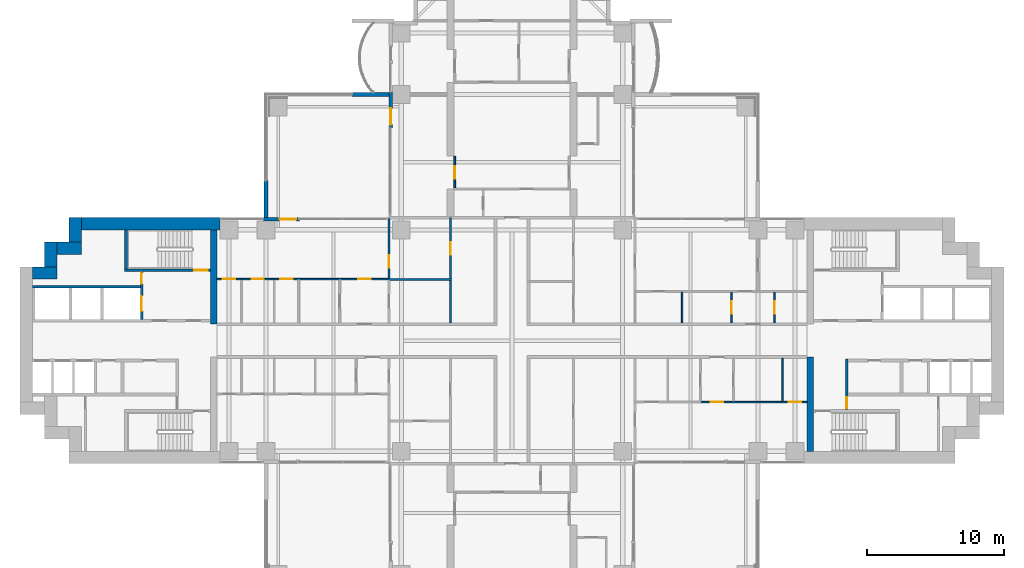
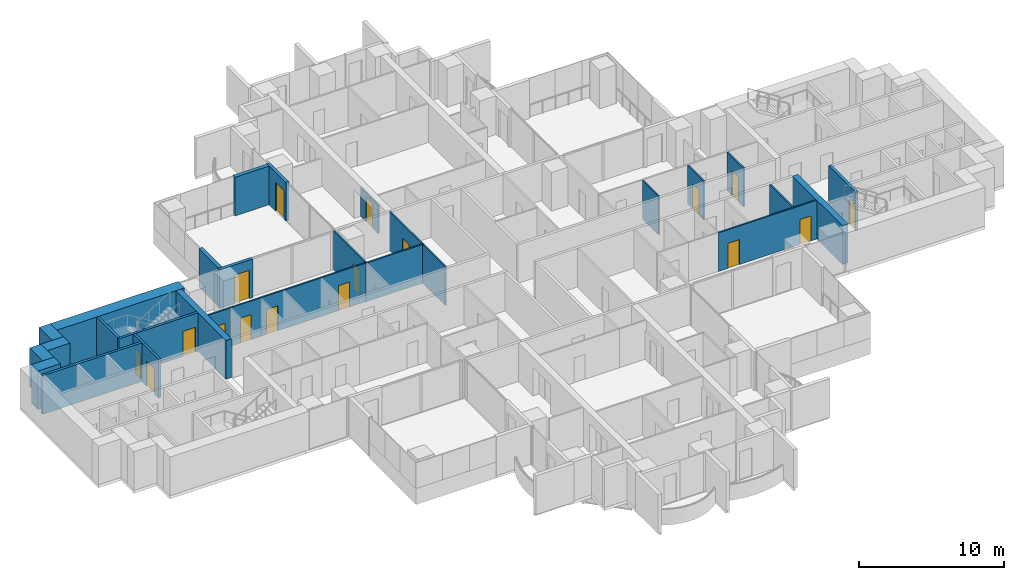
# One storey, part 13 of 20: 28 walls, 17 doors, 17 openings.
"""IFC4 building model written with IfcOpenShell, lengths in metres."""

import ifcopenshell
import ifcopenshell.guid

model = None  # the IFC model being written
_history = None  # IfcOwnerHistory: only IFC2X3 demands one
_inside = {}  # id of a spatial element -> (the spatial element, [elements in it])
_under = {}  # id of a project, library or spatial element -> (it, [spatial elements below it])
_declared = {}  # id of a project -> (the project, [libraries it declares])
_typed = {}  # id of a type object -> (the type object, [elements of that type])
_made_of = {}  # id of a material, layer set ... -> (it, [elements and type objects made of it])


def new_model(schema):
    """Start an empty IFC model of exactly this schema.

    Asked for "IFC4X3", IfcOpenShell would pick the latest addendum, in which some entities
    have other attributes; the version numbers below select the first issue.
    IFC2X3 requires an IfcOwnerHistory on every rooted entity: one is made here for all.
    """
    global model, _history
    if schema == "IFC4X3":
        model = ifcopenshell.file(schema_version=(4, 3, 0, 0))
    else:
        model = ifcopenshell.file(schema=schema)
    _inside.clear()
    _under.clear()
    _declared.clear()
    _typed.clear()
    _made_of.clear()
    _history = None
    if model.schema == "IFC2X3":
        org = make("IfcOrganization", Name="unknown")
        user = make(
            "IfcPersonAndOrganization",
            ThePerson=make("IfcPerson", FamilyName="unknown"),
            TheOrganization=org,
        )
        app = make(
            "IfcApplication",
            ApplicationDeveloper=org,
            Version="unknown",
            ApplicationFullName="unknown",
            ApplicationIdentifier="unknown",
        )
        _history = make(
            "IfcOwnerHistory",
            OwningUser=user,
            OwningApplication=app,
            ChangeAction="ADDED",
            CreationDate=0,
        )
    return model


def make(cls, **values):
    """One entity of the class cls with the attributes given. An attribute that is None is left unset."""
    return model.create_entity(
        cls, **{name: value for name, value in values.items() if value is not None}
    )


def rooted(cls, **values):
    """An entity with a GlobalId (a new one), such as an element, a storey or a relation."""
    return make(cls, GlobalId=ifcopenshell.guid.new(), OwnerHistory=_history, **values)


def si_unit(unit_type, name, prefix=None):
    """IfcSIUnit, for example si_unit("LENGTHUNIT", "METRE", prefix="MILLI")."""
    return make("IfcSIUnit", UnitType=unit_type, Prefix=prefix, Name=name)


def assignment(units):
    """IfcUnitAssignment: the units of a project."""
    return None if units is None else make("IfcUnitAssignment", Units=units)


def point(xyz):
    """IfcCartesianPoint."""
    return None if xyz is None else make("IfcCartesianPoint", Coordinates=xyz)


def direction(xyz):
    """IfcDirection."""
    return None if xyz is None else make("IfcDirection", DirectionRatios=xyz)


def frame(location, z_axis=None, x_axis=None):
    """IfcAxis2Placement3D, a coordinate frame: its origin and axes. An axis left out is left unset."""
    return make(
        "IfcAxis2Placement3D",
        Location=point(location),
        Axis=direction(z_axis),
        RefDirection=direction(x_axis),
    )


def frame_2d(location, x_axis=None):
    """IfcAxis2Placement2D, a coordinate frame in the plane: its origin and x axis."""
    return make(
        "IfcAxis2Placement2D", Location=point(location), RefDirection=direction(x_axis)
    )


def origin():
    """The frame at (0, 0, 0) with its axes left unset."""
    return frame((0.0, 0.0, 0.0))


def place(relative_to, where):
    """IfcLocalPlacement: puts the frame where relative to a parent placement (None: the world)."""
    return make(
        "IfcLocalPlacement", PlacementRelTo=relative_to, RelativePlacement=where
    )


def context(
    kind, dimensions, precision=None, world=None, true_north=None, identifier=None
):
    """IfcGeometricRepresentationContext, for example the 3D "Model" context."""
    return make(
        "IfcGeometricRepresentationContext",
        ContextIdentifier=identifier,
        ContextType=kind,
        CoordinateSpaceDimension=dimensions,
        Precision=precision,
        WorldCoordinateSystem=world,
        TrueNorth=true_north,
    )


def subcontext(parent, identifier, kind, view, scale=None):
    """IfcGeometricRepresentationSubContext, for example "Body" below "Model"."""
    return make(
        "IfcGeometricRepresentationSubContext",
        ContextIdentifier=identifier,
        ContextType=kind,
        ParentContext=parent,
        TargetScale=scale,
        TargetView=view,
    )


def project(units=None, contexts=None):
    """IfcProject with its units and contexts."""
    return rooted(
        "IfcProject",
        Name="project",
        RepresentationContexts=contexts,
        UnitsInContext=assignment(units),
    )


def spatial(cls, under=None, at=None, **own):
    """A site, building, storey or space (cls), placed at a placement, below another one or the project."""
    s = rooted(cls, ObjectPlacement=at, **own)
    if under is not None:
        _under.setdefault(under.id(), (under, []))[1].append(s)
    return s


def profile(cls, at=None, kind="AREA", **sizes):
    """A parametric profile (cls). Its sizes go by their IFC names, for example OverallWidth=200.0."""
    return make(cls, ProfileType=kind, Position=at, **sizes)


def rectangle(**sizes):
    """IfcRectangleProfileDef."""
    return profile("IfcRectangleProfileDef", **sizes)


def extrude(swept, where, along, depth):
    """IfcExtrudedAreaSolid: the profile swept, set in the frame where, extruded along a direction by depth."""
    return make(
        "IfcExtrudedAreaSolid",
        SweptArea=swept,
        Position=where,
        ExtrudedDirection=direction(along),
        Depth=depth,
    )


def shape(context_of_items, identifier, shape_type, items):
    """IfcShapeRepresentation: the items that make up one representation, for example the "Body"."""
    return make(
        "IfcShapeRepresentation",
        ContextOfItems=context_of_items,
        RepresentationIdentifier=identifier,
        RepresentationType=shape_type,
        Items=items,
    )


def material(Name=None, Category=None):
    """IfcMaterial."""
    return make("IfcMaterial", Name=Name, Category=Category)


def layer(
    of_material, thickness, ventilated=None, Name=None, Category=None, Priority=None
):
    """IfcMaterialLayer: one layer of a wall or slab, of a material (None: an air gap)."""
    return make(
        "IfcMaterialLayer",
        Material=of_material,
        LayerThickness=thickness,
        IsVentilated=ventilated,
        Name=Name,
        Category=Category,
        Priority=Priority,
    )


def layer_set(layers, Name=None):
    """IfcMaterialLayerSet."""
    return make("IfcMaterialLayerSet", MaterialLayers=layers, LayerSetName=Name)


def made_of(thing, what):
    """Note that an element or type object is made of a material, layer set ...; save() writes the relation."""
    if what is not None:
        _made_of.setdefault(what.id(), (what, []))[1].append(thing)
    return thing


def type_object(cls, material=None, **own):
    """A type object (cls), such as IfcWallType, which elements share."""
    return made_of(rooted(cls, **own), material)


def element(
    cls,
    number,
    at=None,
    inside=None,
    cuts=None,
    type_object=None,
    material=None,
    context=None,
    identifier="Body",
    shape_type=None,
    held_by="IfcProductDefinitionShape",
    body=None,
    shapes=None,
    **own,
):
    """One element of the class cls, such as IfcWall. Its Tag is "e" and its number.

    at: its placement. inside: the storey or other place that contains it. cuts: it is an
    opening in that element (IfcRelVoidsElement). A single representation is given by context,
    identifier, shape_type and body (its items); several are given by shapes. held_by: the class
    of the entity that holds the representations. save() writes the other relations.
    """
    e = rooted(cls, Tag="e%d" % number, ObjectPlacement=at, **own)
    if body is not None:
        shapes = [shape(context, identifier, shape_type, body)]
    if shapes is not None:
        e.Representation = make(held_by, Representations=shapes)
    if inside is not None:
        _inside.setdefault(inside.id(), (inside, []))[1].append(e)
    if cuts is not None:
        rooted(
            "IfcRelVoidsElement", RelatingBuildingElement=cuts, RelatedOpeningElement=e
        )
    if type_object is not None:
        _typed.setdefault(type_object.id(), (type_object, []))[1].append(e)
    return made_of(e, material)


def fill(opening, filler):
    """IfcRelFillsElement: the door or window that sits in an opening."""
    return rooted(
        "IfcRelFillsElement",
        RelatingOpeningElement=opening,
        RelatedBuildingElement=filler,
    )


def aggregate(whole, parts):
    """IfcRelAggregates: a whole, such as a stair, and the parts it consists of."""
    return rooted("IfcRelAggregates", RelatingObject=whole, RelatedObjects=parts)


def save(model, path):
    """Write the relations noted so far, then the file.

    IfcRelAggregates (storeys below a building ...), IfcRelContainedInSpatialStructure (elements
    in a storey), IfcRelDefinesByType, IfcRelAssociatesMaterial and IfcRelDeclares: one each for
    every whole, place, type object, material and project.
    """
    for whole, parts in _under.values():
        aggregate(whole, parts)
    for where, things in _inside.values():
        rooted(
            "IfcRelContainedInSpatialStructure",
            RelatedElements=things,
            RelatingStructure=where,
        )
    for kind, things in _typed.values():
        rooted("IfcRelDefinesByType", RelatedObjects=things, RelatingType=kind)
    for what, things in _made_of.values():
        rooted("IfcRelAssociatesMaterial", RelatedObjects=things, RelatingMaterial=what)
    for by, libraries in _declared.values():
        rooted("IfcRelDeclares", RelatingContext=by, RelatedDefinitions=libraries)
    model.write(path)


model = new_model("IFC4")

# Units and contexts
model_context = context("Model", 3, precision=1e-05, world=origin(), true_north=direction((0.0, 1.0)))
body_context = subcontext(model_context, "Body", "Model", "MODEL_VIEW")
ifc_project = project(units=[si_unit("LENGTHUNIT", "METRE"), si_unit("AREAUNIT", "SQUARE_METRE"), si_unit("VOLUMEUNIT", "CUBIC_METRE"), si_unit("PLANEANGLEUNIT", "RADIAN"), si_unit("MASSUNIT", "GRAM", prefix="KILO")], contexts=[model_context])

# Site, building, storey
site_placement = place(None, origin())
site = spatial("IfcSite", under=ifc_project, at=site_placement, CompositionType="ELEMENT")
building_placement = place(site_placement, origin())
building = spatial("IfcBuilding", under=site, at=building_placement, Name="Perihelion Cross Residences", CompositionType="ELEMENT")
storey_placement = place(building_placement, frame((0.0, 0.0, 71.5)))
storey = spatial("IfcBuildingStorey", under=building, at=storey_placement, Name="L15", CompositionType="ELEMENT", Elevation=71.5)

# Wall, opening, door
ifc_material_1 = material(Name="Concrete C30/37, bronze-clad", Category="concrete")
ifc_layer_1 = layer(ifc_material_1, 0.25)
ifc_layer_set_1 = layer_set([ifc_layer_1], Name="Bronze-clad pier wall 250")
wall_type_1 = type_object("IfcWallType", Name="Bronze-clad pier wall 250", PredefinedType="SOLIDWALL", material=ifc_layer_set_1)
wall_1_placement = place(storey_placement, frame((-8.875, 18.199951171875, 0.0), z_axis=(0.0, 0.0, 1.0), x_axis=(0.0, -1.0, 0.0)))
wall_1 = element("IfcWall", 1, at=wall_1_placement, inside=storey, type_object=wall_type_1, Name="Wall FW1 L15 north side west bay 2 pier", PredefinedType="SOLIDWALL", context=body_context, shape_type="SweptSolid", body=[
    extrude(rectangle(XDim=2.64990234375, YDim=0.25, at=frame_2d((1.324951171875, 0.0))), origin(), (0.0, 0.0, 1.0), 3.25),
])
opening_1_placement = place(wall_1_placement, frame((1.199951171875, 0.0, 0.0)))
opening_1 = element("IfcOpeningElement", 2, at=opening_1_placement, cuts=wall_1, Name="Opening L15.E07", PredefinedType="OPENING", context=body_context, shape_type="SweptSolid", body=[
    extrude(rectangle(XDim=1.199951171875, YDim=2.39990234375, at=frame_2d((0.60009765625, 1.199951171875))), frame((0.0, 0.135009765625, 0.0), z_axis=(0.0, -1.0, 0.0), x_axis=(1.0, 0.0, 0.0)), (0.0, 0.0, 1.0), 0.27001953125),
])
ifc_material_2 = material(Name="Bronze anodised aluminium, glazed", Category="aluminium")
door_type_1 = type_object("IfcDoorType", Name="Balcony door 1200 x 2400", OperationType="NOTDEFINED", PredefinedType="DOOR", material=ifc_material_2)
door_1_placement = place(opening_1_placement, origin())
door_1 = element("IfcDoor", 3, at=door_1_placement, inside=storey, type_object=door_type_1, Name="Door L15.E07 north side west bay 2", OperationType="SINGLE_SWING_RIGHT", OverallHeight=2.39990234375, OverallWidth=1.199951171875, PredefinedType="DOOR", context=body_context, shape_type="SweptSolid", body=[
    extrude(rectangle(XDim=1.199951171875, YDim=2.39990234375, at=frame_2d((0.60009765625, 1.199951171875))), frame((0.0, 0.02490234375, 0.0), z_axis=(0.0, -1.0, 0.0), x_axis=(1.0, 0.0, 0.0)), (0.0, 0.0, 1.0), 0.050048828125),
])
fill(opening_1, door_1)

wall_2_placement = place(storey_placement, frame((-15.550048828125, 8.875, 0.0), z_axis=(0.0, 0.0, 1.0), x_axis=(-1.0, 0.0, 0.0)))
wall_2 = element("IfcWall", 4, at=wall_2_placement, inside=storey, type_object=wall_type_1, Name="Wall FW1 L15 west side north bay 1 pier", PredefinedType="SOLIDWALL", context=body_context, shape_type="SweptSolid", body=[
    extrude(rectangle(XDim=2.64990234375, YDim=0.25, at=frame_2d((1.324951171875, 0.0))), origin(), (0.0, 0.0, 1.0), 3.25),
])
opening_2_placement = place(wall_2_placement, frame((0.25, 0.0, 0.0)))
opening_2 = element("IfcOpeningElement", 5, at=opening_2_placement, cuts=wall_2, Name="Opening L15.E08", PredefinedType="OPENING", context=body_context, shape_type="SweptSolid", body=[
    extrude(rectangle(XDim=1.199951171875, YDim=2.39990234375, at=frame_2d((0.60009765625, 1.199951171875))), frame((0.0, 0.135009765625, 0.0), z_axis=(0.0, -1.0, 0.0), x_axis=(1.0, 0.0, 0.0)), (0.0, 0.0, 1.0), 0.27001953125),
])
door_2_placement = place(opening_2_placement, origin())
door_2 = element("IfcDoor", 6, at=door_2_placement, inside=storey, type_object=door_type_1, Name="Door L15.E08 west side north bay 1", OperationType="SINGLE_SWING_LEFT", OverallHeight=2.39990234375, OverallWidth=1.199951171875, PredefinedType="DOOR", context=body_context, shape_type="SweptSolid", body=[
    extrude(rectangle(XDim=1.199951171875, YDim=2.39990234375, at=frame_2d((0.60009765625, 1.199951171875))), frame((0.0, 0.02490234375, 0.0), z_axis=(0.0, -1.0, 0.0), x_axis=(1.0, 0.0, 0.0)), (0.0, 0.0, 1.0), 0.050048828125),
])
fill(opening_2, door_2)

# Walls
ifc_material_3 = material(Name="Concrete C60/75", Category="concrete")
ifc_layer_2 = layer(ifc_material_3, 0.449951171875)
ifc_layer_set_2 = layer_set([ifc_layer_2], Name="Core wall, inner 450")
wall_type_2 = type_object("IfcWallType", Name="Core wall, inner 450", PredefinedType="SHEAR", material=ifc_layer_set_2)
for number, where, z_axis, x_axis, name in (
    (7, (21.824951171875, -8.10009765625, 0.0), (0.0, 0.0, 1.0), (0.0, 1.0, 0.0), "East core core wall, inner"),
    (8, (-21.824951171875, 1.199951171875, 0.0), (0.0, 0.0, 1.0), (0.0, 1.0, 0.0), "West core core wall, inner"),
):
    element("IfcWall", number, at=place(storey_placement, frame(where, z_axis=z_axis, x_axis=x_axis)), inside=storey, type_object=wall_type_2, Name=name, PredefinedType="SHEAR", context=body_context, shape_type="SweptSolid", body=[
        extrude(rectangle(XDim=6.900146484375, YDim=0.449951171875, at=frame_2d((3.4501953125, 0.0))), origin(), (0.0, 0.0, 1.0), 3.25),
    ])
ifc_material_4 = material(Name="Concrete C60/75", Category="concrete")
ifc_layer_3 = layer(ifc_material_4, 0.89990234375)
ifc_layer_set_3 = layer_set([ifc_layer_3], Name="Core wall, outer 900")
wall_type_3 = type_object("IfcWallType", Name="Core wall, outer 900", PredefinedType="SHEAR", material=ifc_layer_set_3)
for number, where, z_axis, x_axis, name in (
    (9, (-35.10009765625, 4.949951171875, 0.0), (0.0, 0.0, 1.0), (1.0, 0.0, 0.0), "West core core wall, outer"),
    (10, (-33.75, 5.39990234375, 0.0), (0.0, 0.0, 1.0), (0.0, 1.0, 0.0), "West core core wall, outer"),
    (11, (-33.300048828125, 6.75, 0.0), (0.0, 0.0, 1.0), (1.0, 0.0, 0.0), "West core core wall, outer"),
    (12, (-31.949951171875, 7.199951171875, 0.0), (0.0, 0.0, 1.0), (0.0, 1.0, 0.0), "West core core wall, outer"),
):
    element("IfcWall", number, at=place(storey_placement, frame(where, z_axis=z_axis, x_axis=x_axis)), inside=storey, type_object=wall_type_3, Name=name, PredefinedType="SHEAR", context=body_context, shape_type="SweptSolid", body=[
        extrude(rectangle(XDim=1.800048828125, YDim=0.89990234375, at=frame_2d((0.89990234375, 0.0))), origin(), (0.0, 0.0, 1.0), 3.25),
    ])
wall_3_placement = place(storey_placement, frame((-31.5, 8.550048828125, 0.0), z_axis=(0.0, 0.0, 1.0), x_axis=(1.0, 0.0, 0.0)))
element("IfcWall", 13, at=wall_3_placement, inside=storey, type_object=wall_type_3, Name="West core core wall, outer", PredefinedType="SHEAR", context=body_context, shape_type="SweptSolid", body=[
    extrude(rectangle(XDim=10.14990234375, YDim=0.89990234375, at=frame_2d((5.074951171875, 0.0))), origin(), (0.0, 0.0, 1.0), 3.25),
])

# Wall, opening, door
ifc_material_5 = material(Name="Plasterboard partition")
ifc_layer_4 = layer(ifc_material_5, 0.1201171875)
ifc_layer_set_4 = layer_set([ifc_layer_4], Name="Infill panel 120")
wall_type_4 = type_object("IfcWallType", Name="Infill panel 120", PredefinedType="PARTITIONING", material=ifc_layer_set_4)
wall_4_placement = place(storey_placement, frame((-4.18994140625, 11.10009765625, 0.0), z_axis=(0.0, 0.0, 1.0), x_axis=(0.0, 1.0, 0.0)))
wall_4 = element("IfcWall", 14, at=wall_4_placement, inside=storey, type_object=wall_type_4, Name="Partition L15 WI03", PredefinedType="PARTITIONING", context=body_context, shape_type="SweptSolid", body=[
    extrude(rectangle(XDim=2.39990234375, YDim=0.1201171875, at=frame_2d((1.199951171875, 0.0))), origin(), (0.0, 0.0, 1.0), 2.39990234375),
])
opening_3_placement = place(wall_4_placement, frame((0.75, 0.0, 0.0)))
opening_3 = element("IfcOpeningElement", 15, at=opening_3_placement, cuts=wall_4, Name="Opening L15.A52", PredefinedType="OPENING", context=body_context, shape_type="SweptSolid", body=[
    extrude(rectangle(XDim=0.89990234375, YDim=2.10009765625, at=frame_2d((0.449951171875, 1.050048828125))), frame((0.0, 0.070068359375, 0.0), z_axis=(0.0, -1.0, 0.0), x_axis=(1.0, 0.0, 0.0)), (0.0, 0.0, 1.0), 0.14013671875),
])
ifc_material_6 = material(Name="Timber door leaf", Category="wood")
door_type_2 = type_object("IfcDoorType", Name="Interior room door 900 x 2100", OperationType="SINGLE_SWING_LEFT", PredefinedType="DOOR", material=ifc_material_6)
door_3_placement = place(opening_3_placement, origin())
door_3 = element("IfcDoor", 16, at=door_3_placement, inside=storey, type_object=door_type_2, Name="Door L15.A52", OperationType="SINGLE_SWING_LEFT", OverallHeight=2.10009765625, OverallWidth=0.89990234375, PredefinedType="DOOR", context=body_context, shape_type="SweptSolid", body=[
    extrude(rectangle(XDim=0.89990234375, YDim=2.10009765625, at=frame_2d((0.449951171875, 1.050048828125))), frame((0.0, 0.02490234375, 0.0), z_axis=(0.0, -1.0, 0.0), x_axis=(1.0, 0.0, 0.0)), (0.0, 0.0, 1.0), 0.050048828125),
])
fill(opening_3, door_3)

ifc_material_7 = material(Name="Concrete C50/60", Category="concrete")
ifc_layer_5 = layer(ifc_material_7, 0.199951171875)
ifc_layer_set_5 = layer_set([ifc_layer_5], Name="Lobby wall 200")
wall_type_5 = type_object("IfcWallType", Name="Lobby wall 200", PredefinedType="SOLIDWALL", material=ifc_layer_set_5)
wall_5_placement = place(storey_placement, frame((24.5, -5.050048828125, 0.0), z_axis=(0.0, 0.0, 1.0), x_axis=(0.0, 1.0, 0.0)))
wall_5 = element("IfcWall", 17, at=wall_5_placement, inside=storey, type_object=wall_type_5, Name="East core lobby wall", PredefinedType="SOLIDWALL", context=body_context, shape_type="SweptSolid", body=[
    extrude(rectangle(XDim=3.699951171875, YDim=0.199951171875, at=frame_2d((1.85009765625, 0.0))), origin(), (0.0, 0.0, 1.0), 3.25),
])
opening_4_placement = place(wall_5_placement, frame((0.10009765625, 0.0, 0.0)))
opening_4 = element("IfcOpeningElement", 18, at=opening_4_placement, cuts=wall_5, Name="Opening L15.C08", PredefinedType="OPENING", context=body_context, shape_type="SweptSolid", body=[
    extrude(rectangle(XDim=0.800048828125, YDim=2.10009765625, at=frame_2d((0.39990234375, 1.050048828125))), frame((0.0, 0.10986328125, 0.0), z_axis=(0.0, -1.0, 0.0), x_axis=(1.0, 0.0, 0.0)), (0.0, 0.0, 1.0), 0.219970703125),
])
ifc_material_8 = material(Name="Steel, powder coated", Category="steel")
door_type_3 = type_object("IfcDoorType", Name="Riser door 800", OperationType="SINGLE_SWING_LEFT", PredefinedType="DOOR", material=ifc_material_8)
door_4_placement = place(opening_4_placement, origin())
door_4 = element("IfcDoor", 19, at=door_4_placement, inside=storey, type_object=door_type_3, Name="East core riser door", OperationType="SINGLE_SWING_LEFT", OverallHeight=2.10009765625, OverallWidth=0.800048828125, PredefinedType="DOOR", context=body_context, shape_type="SweptSolid", body=[
    extrude(rectangle(XDim=0.800048828125, YDim=2.10009765625, at=frame_2d((0.39990234375, 1.050048828125))), frame((0.0, 0.02490234375, 0.0), z_axis=(0.0, -1.0, 0.0), x_axis=(1.0, 0.0, 0.0)), (0.0, 0.0, 1.0), 0.050048828125),
])
fill(opening_4, door_4)

ifc_material_9 = material(Name="Plasterboard partition")
ifc_layer_6 = layer(ifc_material_9, 0.1201171875)
ifc_layer_set_6 = layer_set([ifc_layer_6], Name="Partition wall 120")
wall_type_6 = type_object("IfcWallType", Name="Partition wall 120", PredefinedType="PARTITIONING", material=ifc_layer_set_6)
wall_6_placement = place(storey_placement, frame((16.050048828125, 3.5400390625, 0.0), z_axis=(0.0, 0.0, 1.0), x_axis=(0.0, -1.0, 0.0)))
wall_6 = element("IfcWall", 20, at=wall_6_placement, inside=storey, type_object=wall_type_6, Name="Partition L15 W014", PredefinedType="PARTITIONING", context=body_context, shape_type="SweptSolid", body=[
    extrude(rectangle(XDim=2.239990234375, YDim=0.1201171875, at=frame_2d((1.1201171875, 0.0))), origin(), (0.0, 0.0, 1.0), 3.25),
])
opening_5_placement = place(wall_6_placement, frame((0.669921875, 0.0, 0.0)))
opening_5 = element("IfcOpeningElement", 21, at=opening_5_placement, cuts=wall_6, Name="Opening L15.A02", PredefinedType="OPENING", context=body_context, shape_type="SweptSolid", body=[
    extrude(rectangle(XDim=0.89990234375, YDim=2.10009765625, at=frame_2d((0.449951171875, 1.050048828125))), frame((0.0, 0.070068359375, 0.0), z_axis=(0.0, -1.0, 0.0), x_axis=(1.0, 0.0, 0.0)), (0.0, 0.0, 1.0), 0.14013671875),
])
door_5_placement = place(opening_5_placement, origin())
door_5 = element("IfcDoor", 22, at=door_5_placement, inside=storey, type_object=door_type_2, Name="Door L15.A02", OperationType="SINGLE_SWING_LEFT", OverallHeight=2.10009765625, OverallWidth=0.89990234375, PredefinedType="DOOR", context=body_context, shape_type="SweptSolid", body=[
    extrude(rectangle(XDim=0.89990234375, YDim=2.10009765625, at=frame_2d((0.449951171875, 1.050048828125))), frame((0.0, 0.02490234375, 0.0), z_axis=(0.0, -1.0, 0.0), x_axis=(1.0, 0.0, 0.0)), (0.0, 0.0, 1.0), 0.050048828125),
])
fill(opening_5, door_5)

wall_7_placement = place(storey_placement, frame((19.199951171875, 3.5400390625, 0.0), z_axis=(0.0, 0.0, 1.0), x_axis=(0.0, -1.0, 0.0)))
wall_7 = element("IfcWall", 23, at=wall_7_placement, inside=storey, type_object=wall_type_6, Name="Partition L15 W016", PredefinedType="PARTITIONING", context=body_context, shape_type="SweptSolid", body=[
    extrude(rectangle(XDim=2.239990234375, YDim=0.1201171875, at=frame_2d((1.1201171875, 0.0))), origin(), (0.0, 0.0, 1.0), 3.25),
])
opening_6_placement = place(wall_7_placement, frame((0.669921875, 0.0, 0.0)))
opening_6 = element("IfcOpeningElement", 24, at=opening_6_placement, cuts=wall_7, Name="Opening L15.A04", PredefinedType="OPENING", context=body_context, shape_type="SweptSolid", body=[
    extrude(rectangle(XDim=0.89990234375, YDim=2.10009765625, at=frame_2d((0.449951171875, 1.050048828125))), frame((0.0, 0.070068359375, 0.0), z_axis=(0.0, -1.0, 0.0), x_axis=(1.0, 0.0, 0.0)), (0.0, 0.0, 1.0), 0.14013671875),
])
door_6_placement = place(opening_6_placement, origin())
door_6 = element("IfcDoor", 25, at=door_6_placement, inside=storey, type_object=door_type_2, Name="Door L15.A04", OperationType="SINGLE_SWING_LEFT", OverallHeight=2.10009765625, OverallWidth=0.89990234375, PredefinedType="DOOR", context=body_context, shape_type="SweptSolid", body=[
    extrude(rectangle(XDim=0.89990234375, YDim=2.10009765625, at=frame_2d((0.449951171875, 1.050048828125))), frame((0.0, 0.02490234375, 0.0), z_axis=(0.0, -1.0, 0.0), x_axis=(1.0, 0.0, 0.0)), (0.0, 0.0, 1.0), 0.050048828125),
])
fill(opening_6, door_6)

# Wall, openings, doors
wall_8_placement = place(storey_placement, frame((21.60009765625, -4.5, 0.0), z_axis=(0.0, 0.0, 1.0), x_axis=(-1.0, 0.0, 0.0)))
wall_8 = element("IfcWall", 26, at=wall_8_placement, inside=storey, type_object=wall_type_6, Name="Partition L15 W028", PredefinedType="PARTITIONING", context=body_context, shape_type="SweptSolid", body=[
    extrude(rectangle(XDim=7.800048828125, YDim=0.1201171875, at=frame_2d((3.89990234375, 0.0))), origin(), (0.0, 0.0, 1.0), 3.25),
])
opening_7_placement = place(wall_8_placement, frame((0.449951171875, 0.0, 0.0)))
opening_7 = element("IfcOpeningElement", 27, at=opening_7_placement, cuts=wall_8, Name="Opening L15.A12", PredefinedType="OPENING", context=body_context, shape_type="SweptSolid", body=[
    extrude(rectangle(XDim=0.89990234375, YDim=2.10009765625, at=frame_2d((0.449951171875, 1.050048828125))), frame((0.0, 0.070068359375, 0.0), z_axis=(0.0, -1.0, 0.0), x_axis=(1.0, 0.0, 0.0)), (0.0, 0.0, 1.0), 0.14013671875),
])
opening_8_placement = place(wall_8_placement, frame((6.14990234375, 0.0, 0.0)))
opening_8 = element("IfcOpeningElement", 28, at=opening_8_placement, cuts=wall_8, Name="Opening L15.A13", PredefinedType="OPENING", context=body_context, shape_type="SweptSolid", body=[
    extrude(rectangle(XDim=0.89990234375, YDim=2.10009765625, at=frame_2d((0.449951171875, 1.050048828125))), frame((0.0, 0.070068359375, 0.0), z_axis=(0.0, -1.0, 0.0), x_axis=(1.0, 0.0, 0.0)), (0.0, 0.0, 1.0), 0.14013671875),
])
door_7_placement = place(opening_7_placement, origin())
door_7 = element("IfcDoor", 29, at=door_7_placement, inside=storey, type_object=door_type_2, Name="Door L15.A12", OperationType="SINGLE_SWING_RIGHT", OverallHeight=2.10009765625, OverallWidth=0.89990234375, PredefinedType="DOOR", context=body_context, shape_type="SweptSolid", body=[
    extrude(rectangle(XDim=0.89990234375, YDim=2.10009765625, at=frame_2d((0.449951171875, 1.050048828125))), frame((0.0, 0.02490234375, 0.0), z_axis=(0.0, -1.0, 0.0), x_axis=(1.0, 0.0, 0.0)), (0.0, 0.0, 1.0), 0.050048828125),
])
fill(opening_7, door_7)
door_8_placement = place(opening_8_placement, origin())
door_8 = element("IfcDoor", 30, at=door_8_placement, inside=storey, type_object=door_type_2, Name="Door L15.A13", OperationType="SINGLE_SWING_LEFT", OverallHeight=2.10009765625, OverallWidth=0.89990234375, PredefinedType="DOOR", context=body_context, shape_type="SweptSolid", body=[
    extrude(rectangle(XDim=0.89990234375, YDim=2.10009765625, at=frame_2d((0.449951171875, 1.050048828125))), frame((0.0, 0.02490234375, 0.0), z_axis=(0.0, -1.0, 0.0), x_axis=(1.0, 0.0, 0.0)), (0.0, 0.0, 1.0), 0.050048828125),
])
fill(opening_8, door_8)

# Wall
wall_9_placement = place(storey_placement, frame((19.800048828125, -1.300048828125, 0.0), z_axis=(0.0, 0.0, 1.0), x_axis=(0.0, -1.0, 0.0)))
element("IfcWall", 31, at=wall_9_placement, inside=storey, type_object=wall_type_6, Name="Partition L15 W029", PredefinedType="PARTITIONING", context=body_context, shape_type="SweptSolid", body=[
    extrude(rectangle(XDim=3.139892578125, YDim=0.1201171875, at=frame_2d((1.56982421875, 0.0))), origin(), (0.0, 0.0, 1.0), 3.25),
])

# Wall, openings, doors
wall_10_placement = place(storey_placement, frame((-17.39990234375, 4.5, 0.0), z_axis=(0.0, 0.0, 1.0), x_axis=(1.0, 0.0, 0.0)))
wall_10 = element("IfcWall", 32, at=wall_10_placement, inside=storey, type_object=wall_type_6, Name="Partition L15 W032", PredefinedType="PARTITIONING", context=body_context, shape_type="SweptSolid", body=[
    extrude(rectangle(XDim=8.4599609375, YDim=0.1201171875, at=frame_2d((4.22998046875, 0.0))), origin(), (0.0, 0.0, 1.0), 3.25),
])
opening_9_placement = place(wall_10_placement, frame((0.449951171875, 0.0, 0.0)))
opening_9 = element("IfcOpeningElement", 33, at=opening_9_placement, cuts=wall_10, Name="Opening L15.A20", PredefinedType="OPENING", context=body_context, shape_type="SweptSolid", body=[
    extrude(rectangle(XDim=0.89990234375, YDim=2.10009765625, at=frame_2d((0.449951171875, 1.050048828125))), frame((0.0, 0.070068359375, 0.0), z_axis=(0.0, -1.0, 0.0), x_axis=(1.0, 0.0, 0.0)), (0.0, 0.0, 1.0), 0.14013671875),
])
opening_10_placement = place(wall_10_placement, frame((6.14990234375, 0.0, 0.0)))
opening_10 = element("IfcOpeningElement", 34, at=opening_10_placement, cuts=wall_10, Name="Opening L15.A23", PredefinedType="OPENING", context=body_context, shape_type="SweptSolid", body=[
    extrude(rectangle(XDim=0.89990234375, YDim=2.10009765625, at=frame_2d((0.449951171875, 1.050048828125))), frame((0.0, 0.070068359375, 0.0), z_axis=(0.0, -1.0, 0.0), x_axis=(1.0, 0.0, 0.0)), (0.0, 0.0, 1.0), 0.14013671875),
])
door_9_placement = place(opening_9_placement, origin())
door_9 = element("IfcDoor", 35, at=door_9_placement, inside=storey, type_object=door_type_2, Name="Door L15.A20", OperationType="SINGLE_SWING_LEFT", OverallHeight=2.10009765625, OverallWidth=0.89990234375, PredefinedType="DOOR", context=body_context, shape_type="SweptSolid", body=[
    extrude(rectangle(XDim=0.89990234375, YDim=2.10009765625, at=frame_2d((0.449951171875, 1.050048828125))), frame((0.0, 0.02490234375, 0.0), z_axis=(0.0, -1.0, 0.0), x_axis=(1.0, 0.0, 0.0)), (0.0, 0.0, 1.0), 0.050048828125),
])
fill(opening_9, door_9)
door_10_placement = place(opening_10_placement, origin())
door_10 = element("IfcDoor", 36, at=door_10_placement, inside=storey, type_object=door_type_2, Name="Door L15.A23", OperationType="SINGLE_SWING_RIGHT", OverallHeight=2.10009765625, OverallWidth=0.89990234375, PredefinedType="DOOR", context=body_context, shape_type="SweptSolid", body=[
    extrude(rectangle(XDim=0.89990234375, YDim=2.10009765625, at=frame_2d((0.449951171875, 1.050048828125))), frame((0.0, 0.02490234375, 0.0), z_axis=(0.0, -1.0, 0.0), x_axis=(1.0, 0.0, 0.0)), (0.0, 0.0, 1.0), 0.050048828125),
])
fill(opening_10, door_10)

# Wall, opening, door
wall_11_placement = place(storey_placement, frame((-21.60009765625, 4.5, 0.0), z_axis=(0.0, 0.0, 1.0), x_axis=(1.0, 0.0, 0.0)))
wall_11 = element("IfcWall", 37, at=wall_11_placement, inside=storey, type_object=wall_type_6, Name="Partition L15 W038", PredefinedType="PARTITIONING", context=body_context, shape_type="SweptSolid", body=[
    extrude(rectangle(XDim=1.800048828125, YDim=0.1201171875, at=frame_2d((0.89990234375, 0.0))), origin(), (0.0, 0.0, 1.0), 3.25),
])
opening_11_placement = place(wall_11_placement, frame((0.449951171875, 0.0, 0.0)))
opening_11 = element("IfcOpeningElement", 38, at=opening_11_placement, cuts=wall_11, Name="Opening L15.A17", PredefinedType="OPENING", context=body_context, shape_type="SweptSolid", body=[
    extrude(rectangle(XDim=0.89990234375, YDim=2.10009765625, at=frame_2d((0.449951171875, 1.050048828125))), frame((0.0, 0.070068359375, 0.0), z_axis=(0.0, -1.0, 0.0), x_axis=(1.0, 0.0, 0.0)), (0.0, 0.0, 1.0), 0.14013671875),
])
door_11_placement = place(opening_11_placement, origin())
door_11 = element("IfcDoor", 39, at=door_11_placement, inside=storey, type_object=door_type_2, Name="Door L15.A17", OperationType="SINGLE_SWING_LEFT", OverallHeight=2.10009765625, OverallWidth=0.89990234375, PredefinedType="DOOR", context=body_context, shape_type="SweptSolid", body=[
    extrude(rectangle(XDim=0.89990234375, YDim=2.10009765625, at=frame_2d((0.449951171875, 1.050048828125))), frame((0.0, 0.02490234375, 0.0), z_axis=(0.0, -1.0, 0.0), x_axis=(1.0, 0.0, 0.0)), (0.0, 0.0, 1.0), 0.050048828125),
])
fill(opening_11, door_11)

wall_12_placement = place(storey_placement, frame((-9.0, 8.919921875, 0.0), z_axis=(0.0, 0.0, 1.0), x_axis=(0.0, -1.0, 0.0)))
wall_12 = element("IfcWall", 40, at=wall_12_placement, inside=storey, type_object=wall_type_6, Name="Partition L15 W039", PredefinedType="PARTITIONING", context=body_context, shape_type="SweptSolid", body=[
    extrude(rectangle(XDim=4.35986328125, YDim=0.1201171875, at=frame_2d((2.179931640625, 0.0))), origin(), (0.0, 0.0, 1.0), 3.25),
])
opening_12_placement = place(wall_12_placement, frame((2.68994140625, 0.0, 0.0)))
opening_12 = element("IfcOpeningElement", 41, at=opening_12_placement, cuts=wall_12, Name="Opening L15.A22", PredefinedType="OPENING", context=body_context, shape_type="SweptSolid", body=[
    extrude(rectangle(XDim=0.89990234375, YDim=2.10009765625, at=frame_2d((0.449951171875, 1.050048828125))), frame((0.0, 0.070068359375, 0.0), z_axis=(0.0, -1.0, 0.0), x_axis=(1.0, 0.0, 0.0)), (0.0, 0.0, 1.0), 0.14013671875),
])
door_12_placement = place(opening_12_placement, origin())
door_12 = element("IfcDoor", 42, at=door_12_placement, inside=storey, type_object=door_type_2, Name="Door L15.A22", OperationType="SINGLE_SWING_RIGHT", OverallHeight=2.10009765625, OverallWidth=0.89990234375, PredefinedType="DOOR", context=body_context, shape_type="SweptSolid", body=[
    extrude(rectangle(XDim=0.89990234375, YDim=2.10009765625, at=frame_2d((0.449951171875, 1.050048828125))), frame((0.0, 0.02490234375, 0.0), z_axis=(0.0, -1.0, 0.0), x_axis=(1.0, 0.0, 0.0)), (0.0, 0.0, 1.0), 0.050048828125),
])
fill(opening_12, door_12)

# Wall
wall_13_placement = place(storey_placement, frame((-9.06005859375, 4.47607421875, 0.0), z_axis=(0.0, 0.0, 1.0), x_axis=(1.0, 0.0, 0.0)))
element("IfcWall", 43, at=wall_13_placement, inside=storey, type_object=wall_type_6, Name="Partition L15 W040", PredefinedType="PARTITIONING", context=body_context, shape_type="SweptSolid", body=[
    extrude(rectangle(XDim=4.6201171875, YDim=0.1201171875, at=frame_2d((2.31005859375, 0.0))), origin(), (0.0, 0.0, 1.0), 3.25),
])

# Wall, opening, door
wall_14_placement = place(storey_placement, frame((-4.5, 9.0, 0.0), z_axis=(0.0, 0.0, 1.0), x_axis=(0.0, -1.0, 0.0)))
wall_14 = element("IfcWall", 44, at=wall_14_placement, inside=storey, type_object=wall_type_6, Name="Partition L15 W041", PredefinedType="PARTITIONING", context=body_context, shape_type="SweptSolid", body=[
    extrude(rectangle(XDim=7.699951171875, YDim=0.1201171875, at=frame_2d((3.85009765625, 0.0))), origin(), (0.0, 0.0, 1.0), 3.25),
])
opening_13_placement = place(wall_14_placement, frame((1.81201171875, 0.0, 0.0)))
opening_13 = element("IfcOpeningElement", 45, at=opening_13_placement, cuts=wall_14, Name="Opening L15.A21", PredefinedType="OPENING", context=body_context, shape_type="SweptSolid", body=[
    extrude(rectangle(XDim=0.89990234375, YDim=2.10009765625, at=frame_2d((0.449951171875, 1.050048828125))), frame((0.0, 0.070068359375, 0.0), z_axis=(0.0, -1.0, 0.0), x_axis=(1.0, 0.0, 0.0)), (0.0, 0.0, 1.0), 0.14013671875),
])
door_13_placement = place(opening_13_placement, origin())
door_13 = element("IfcDoor", 46, at=door_13_placement, inside=storey, type_object=door_type_2, Name="Door L15.A21", OperationType="SINGLE_SWING_RIGHT", OverallHeight=2.10009765625, OverallWidth=0.89990234375, PredefinedType="DOOR", context=body_context, shape_type="SweptSolid", body=[
    extrude(rectangle(XDim=0.89990234375, YDim=2.10009765625, at=frame_2d((0.449951171875, 1.050048828125))), frame((0.0, 0.02490234375, 0.0), z_axis=(0.0, -1.0, 0.0), x_axis=(1.0, 0.0, 0.0)), (0.0, 0.0, 1.0), 0.050048828125),
])
fill(opening_13, door_13)

# Walls
ifc_material_10 = material(Name="Precast concrete C50/60", Category="concrete")
ifc_layer_7 = layer(ifc_material_10, 0.300048828125)
ifc_layer_set_7 = layer_set([ifc_layer_7], Name="Precast concrete C50/60 blade wall 300")
wall_type_7 = type_object("IfcWallType", Name="Precast concrete C50/60 blade wall 300", PredefinedType="SOLIDWALL", material=ifc_layer_set_7)
for number, where, z_axis, x_axis, name in (
    (47, (-18.0, 8.75, 0.0), (0.0, 0.0, 1.0), (0.0, 1.0, 0.0), "Wall BL1 L15 no. 2"),
    (48, (-8.75, 18.0, 0.0), (0.0, 0.0, 1.0), (-1.0, 0.0, 0.0), "Wall BL1 L15 no. 7"),
):
    element("IfcWall", number, at=place(storey_placement, frame(where, z_axis=z_axis, x_axis=x_axis)), inside=storey, type_object=wall_type_7, Name=name, PredefinedType="SOLIDWALL", context=body_context, shape_type="SweptSolid", body=[
        extrude(rectangle(XDim=2.949951171875, YDim=0.300048828125, at=frame_2d((1.47509765625, 0.0))), origin(), (0.0, 0.0, 1.0), 3.25),
    ])
ifc_material_11 = material(Name="Concrete C50/60", Category="concrete")
ifc_layer_8 = layer(ifc_material_11, 0.199951171875)
ifc_layer_set_8 = layer_set([ifc_layer_8], Name="Shaft wall 200")
wall_type_8 = type_object("IfcWallType", Name="Shaft wall 200", PredefinedType="SOLIDWALL", material=ifc_layer_set_8)
wall_15_placement = place(storey_placement, frame((-35.10009765625, 3.949951171875, 0.0), z_axis=(0.0, 0.0, 1.0), x_axis=(1.0, 0.0, 0.0)))
element("IfcWall", 49, at=wall_15_placement, inside=storey, type_object=wall_type_8, Name="West core shaft wall", PredefinedType="SOLIDWALL", context=body_context, shape_type="SweptSolid", body=[
    extrude(rectangle(XDim=7.900146484375, YDim=0.199951171875, at=frame_2d((3.9501953125, 0.0))), origin(), (0.0, 0.0, 1.0), 3.25),
])

# Wall, openings, doors
wall_16_placement = place(storey_placement, frame((-27.10009765625, 1.550048828125, 0.0), z_axis=(0.0, 0.0, 1.0), x_axis=(0.0, 1.0, 0.0)))
wall_16 = element("IfcWall", 50, at=wall_16_placement, inside=storey, type_object=wall_type_8, Name="West core shaft wall", PredefinedType="SOLIDWALL", context=body_context, shape_type="SweptSolid", body=[
    extrude(rectangle(XDim=3.5, YDim=0.199951171875, at=frame_2d((1.75, 0.0))), origin(), (0.0, 0.0, 1.0), 3.25),
])
opening_14_placement = place(wall_16_placement, frame((0.60009765625, 0.0, 0.0)))
opening_14 = element("IfcOpeningElement", 51, at=opening_14_placement, cuts=wall_16, Name="Opening L15.C14", PredefinedType="OPENING", context=body_context, shape_type="SweptSolid", body=[
    extrude(rectangle(XDim=1.10009765625, YDim=2.10009765625, at=frame_2d((0.550048828125, 1.050048828125))), frame((0.0, 0.10986328125, 0.0), z_axis=(0.0, -1.0, 0.0), x_axis=(1.0, 0.0, 0.0)), (0.0, 0.0, 1.0), 0.219970703125),
])
opening_15_placement = place(wall_16_placement, frame((2.60009765625, 0.0, 0.0)))
opening_15 = element("IfcOpeningElement", 52, at=opening_15_placement, cuts=wall_16, Name="Opening L15.C24", PredefinedType="OPENING", context=body_context, shape_type="SweptSolid", body=[
    extrude(rectangle(XDim=0.800048828125, YDim=2.10009765625, at=frame_2d((0.39990234375, 1.050048828125))), frame((0.0, 0.10986328125, 0.0), z_axis=(0.0, -1.0, 0.0), x_axis=(1.0, 0.0, 0.0)), (0.0, 0.0, 1.0), 0.219970703125),
])
ifc_material_12 = material(Name="Stainless steel", Category="steel")
door_type_4 = type_object("IfcDoorType", Name="Landing door, firefighting lift 1100", OperationType="DOUBLE_DOOR_SLIDING", PredefinedType="DOOR", material=ifc_material_12)
door_14_placement = place(opening_14_placement, origin())
door_14 = element("IfcDoor", 53, at=door_14_placement, inside=storey, type_object=door_type_4, Name="Landing door, West core firefighting and service lift", OperationType="DOUBLE_DOOR_SLIDING", OverallHeight=2.10009765625, OverallWidth=1.10009765625, PredefinedType="DOOR", context=body_context, shape_type="SweptSolid", body=[
    extrude(rectangle(XDim=1.10009765625, YDim=2.10009765625, at=frame_2d((0.550048828125, 1.050048828125))), frame((0.0, 0.02490234375, 0.0), z_axis=(0.0, -1.0, 0.0), x_axis=(1.0, 0.0, 0.0)), (0.0, 0.0, 1.0), 0.050048828125),
])
fill(opening_14, door_14)
door_15_placement = place(opening_15_placement, origin())
door_15 = element("IfcDoor", 54, at=door_15_placement, inside=storey, type_object=door_type_3, Name="West core riser door", OperationType="SINGLE_SWING_LEFT", OverallHeight=2.10009765625, OverallWidth=0.800048828125, PredefinedType="DOOR", context=body_context, shape_type="SweptSolid", body=[
    extrude(rectangle(XDim=0.800048828125, YDim=2.10009765625, at=frame_2d((0.39990234375, 1.050048828125))), frame((0.0, 0.02490234375, 0.0), z_axis=(0.0, -1.0, 0.0), x_axis=(1.0, 0.0, 0.0)), (0.0, 0.0, 1.0), 0.050048828125),
])
fill(opening_15, door_15)

# Wall, opening, door
ifc_material_13 = material(Name="Concrete C50/60", Category="concrete")
ifc_layer_9 = layer(ifc_material_13, 0.199951171875)
ifc_layer_set_9 = layer_set([ifc_layer_9], Name="Stair wall 200")
wall_type_9 = type_object("IfcWallType", Name="Stair wall 200", PredefinedType="SOLIDWALL", material=ifc_layer_set_9)
wall_17_placement = place(storey_placement, frame((-28.35009765625, 5.14990234375, 0.0), z_axis=(0.0, 0.0, 1.0), x_axis=(1.0, 0.0, 0.0)))
wall_17 = element("IfcWall", 55, at=wall_17_placement, inside=storey, type_object=wall_type_9, Name="West core stair wall", PredefinedType="SOLIDWALL", context=body_context, shape_type="SweptSolid", body=[
    extrude(rectangle(XDim=6.300048828125, YDim=0.199951171875, at=frame_2d((3.14990234375, 0.0))), origin(), (0.0, 0.0, 1.0), 3.25),
])
opening_16_placement = place(wall_17_placement, frame((5.10009765625, 0.0, 0.0)))
opening_16 = element("IfcOpeningElement", 56, at=opening_16_placement, cuts=wall_17, Name="Opening L15.C19", PredefinedType="OPENING", context=body_context, shape_type="SweptSolid", body=[
    extrude(rectangle(XDim=1.0, YDim=2.10009765625, at=frame_2d((0.5, 1.050048828125))), frame((0.0, 0.10986328125, 0.0), z_axis=(0.0, -1.0, 0.0), x_axis=(1.0, 0.0, 0.0)), (0.0, 0.0, 1.0), 0.219970703125),
])
ifc_material_14 = material(Name="Steel, powder coated", Category="steel")
door_type_5 = type_object("IfcDoorType", Name="Stair door 1000", OperationType="SINGLE_SWING_LEFT", PredefinedType="DOOR", material=ifc_material_14)
door_16_placement = place(opening_16_placement, origin())
door_16 = element("IfcDoor", 57, at=door_16_placement, inside=storey, type_object=door_type_5, Name="West core stair door", OperationType="SINGLE_SWING_LEFT", OverallHeight=2.10009765625, OverallWidth=1.0, PredefinedType="DOOR", context=body_context, shape_type="SweptSolid", body=[
    extrude(rectangle(XDim=1.0, YDim=2.10009765625, at=frame_2d((0.5, 1.050048828125))), frame((0.0, 0.02490234375, 0.0), z_axis=(0.0, -1.0, 0.0), x_axis=(1.0, 0.0, 0.0)), (0.0, 0.0, 1.0), 0.050048828125),
])
fill(opening_16, door_16)

# Walls
wall_18_placement = place(storey_placement, frame((-28.25, 5.25, 0.0), z_axis=(0.0, 0.0, 1.0), x_axis=(0.0, 1.0, 0.0)))
element("IfcWall", 58, at=wall_18_placement, inside=storey, type_object=wall_type_9, Name="West core stair wall", PredefinedType="SOLIDWALL", context=body_context, shape_type="SweptSolid", body=[
    extrude(rectangle(XDim=2.85009765625, YDim=0.199951171875, at=frame_2d((1.425048828125, 0.0))), origin(), (0.0, 0.0, 1.0), 3.25),
])
ifc_material_15 = material(Name="Plasterboard partition")
ifc_layer_10 = layer(ifc_material_15, 0.10009765625)
ifc_layer_set_10 = layer_set([ifc_layer_10], Name="Wet room wall 100")
wall_type_10 = type_object("IfcWallType", Name="Wet room wall 100", PredefinedType="PARTITIONING", material=ifc_layer_set_10)
wall_19_placement = place(storey_placement, frame((12.449951171875, 3.5400390625, 0.0), z_axis=(0.0, 0.0, 1.0), x_axis=(0.0, -1.0, 0.0)))
element("IfcWall", 59, at=wall_19_placement, inside=storey, type_object=wall_type_10, Name="Partition L15 W011", PredefinedType="PARTITIONING", context=body_context, shape_type="SweptSolid", body=[
    extrude(rectangle(XDim=2.239990234375, YDim=0.10009765625, at=frame_2d((1.1201171875, 0.0))), origin(), (0.0, 0.0, 1.0), 3.25),
])

# Wall, opening, door
wall_20_placement = place(storey_placement, frame((-19.800048828125, 4.5, 0.0), z_axis=(0.0, 0.0, 1.0), x_axis=(1.0, 0.0, 0.0)))
wall_20 = element("IfcWall", 60, at=wall_20_placement, inside=storey, type_object=wall_type_10, Name="Partition L15 W037", PredefinedType="PARTITIONING", context=body_context, shape_type="SweptSolid", body=[
    extrude(rectangle(XDim=2.400146484375, YDim=0.10009765625, at=frame_2d((1.2001953125, 0.0))), origin(), (0.0, 0.0, 1.0), 3.25),
])
opening_17_placement = place(wall_20_placement, frame((0.77490234375, 0.0, 0.0)))
opening_17 = element("IfcOpeningElement", 61, at=opening_17_placement, cuts=wall_20, Name="Opening L15.A16", PredefinedType="OPENING", context=body_context, shape_type="SweptSolid", body=[
    extrude(rectangle(XDim=0.85009765625, YDim=2.10009765625, at=frame_2d((0.425048828125, 1.050048828125))), frame((0.0, 0.06005859375, 0.0), z_axis=(0.0, -1.0, 0.0), x_axis=(1.0, 0.0, 0.0)), (0.0, 0.0, 1.0), 0.1201171875),
])
ifc_material_16 = material(Name="Timber door leaf", Category="wood")
door_type_6 = type_object("IfcDoorType", Name="Interior bathroom door 850 x 2100", OperationType="SINGLE_SWING_LEFT", PredefinedType="DOOR", material=ifc_material_16)
door_17_placement = place(opening_17_placement, origin())
door_17 = element("IfcDoor", 62, at=door_17_placement, inside=storey, type_object=door_type_6, Name="Door L15.A16", OperationType="SINGLE_SWING_RIGHT", OverallHeight=2.10009765625, OverallWidth=0.85009765625, PredefinedType="DOOR", context=body_context, shape_type="SweptSolid", body=[
    extrude(rectangle(XDim=0.85009765625, YDim=2.10009765625, at=frame_2d((0.425048828125, 1.050048828125))), frame((0.0, 0.02490234375, 0.0), z_axis=(0.0, -1.0, 0.0), x_axis=(1.0, 0.0, 0.0)), (0.0, 0.0, 1.0), 0.050048828125),
])
fill(opening_17, door_17)

save(model, "model.ifc")
